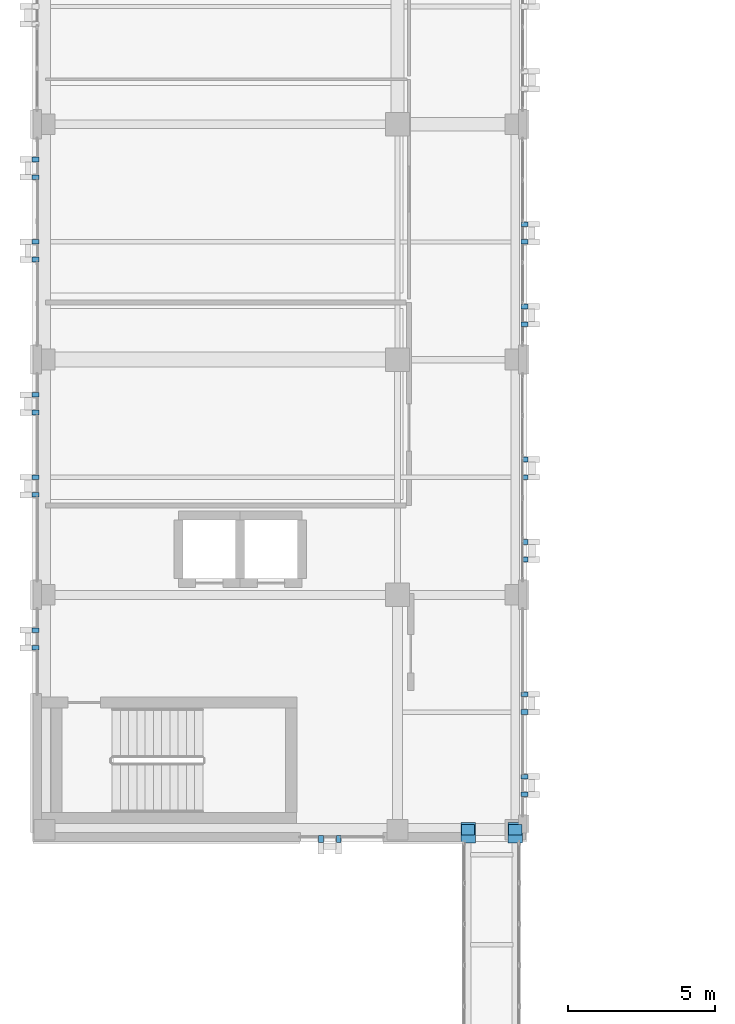
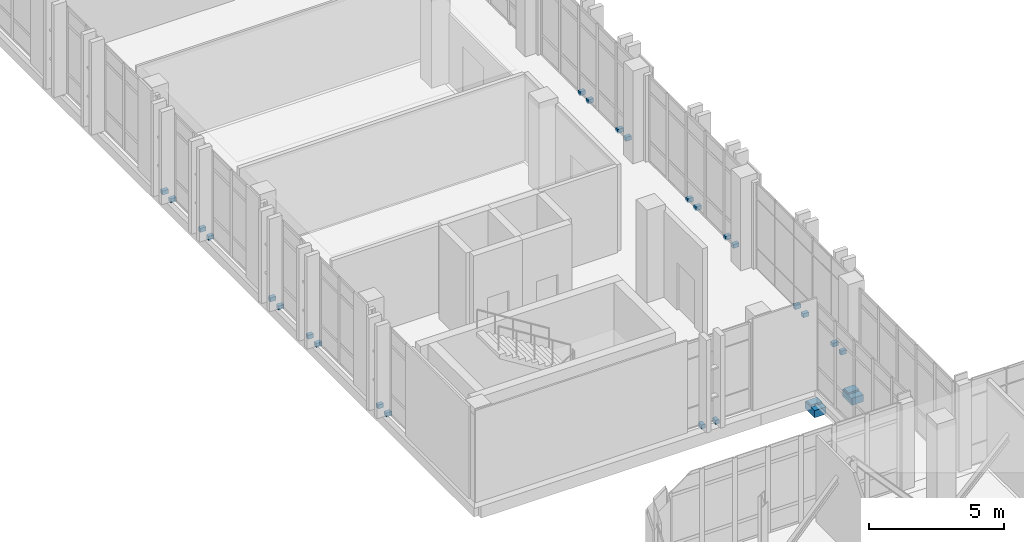
# One storey, part 142 of 165: 28 discrete accessories.
"""IFC4 building model written with IfcOpenShell, lengths in metres."""

from ifc_helpers import new_model, si_unit, direction, frame, origin, origin_2d, place, context, subcontext, project, spatial, rectangle, extrude, material, type_object, element, save


model = new_model("IFC4")

# Units and contexts
model_context = context("Model", 3, precision=1e-05, world=origin(), true_north=direction((0.0, 1.0)))
body_context = subcontext(model_context, "Body", "Model", "MODEL_VIEW")
ifc_project = project(units=[si_unit("LENGTHUNIT", "METRE"), si_unit("AREAUNIT", "SQUARE_METRE"), si_unit("VOLUMEUNIT", "CUBIC_METRE"), si_unit("PLANEANGLEUNIT", "RADIAN"), si_unit("MASSUNIT", "GRAM", prefix="KILO")], contexts=[model_context])

# Site, building, storey
site_placement = place(None, origin())
site = spatial("IfcSite", under=ifc_project, at=site_placement, CompositionType="ELEMENT")
building_placement = place(site_placement, origin())
building = spatial("IfcBuilding", under=site, at=building_placement, Name="Qalavern Law Courts", CompositionType="ELEMENT")
storey_placement = place(building_placement, frame((0.0, 0.0, 14.39990234375)))
storey = spatial("IfcBuildingStorey", under=building, at=storey_placement, Name="L03", CompositionType="ELEMENT", Elevation=14.39990234375)

# Discrete accessories
ifc_material_1 = material(Name="Steel S355", Category="steel")
discrete_accessory_type_1 = type_object("IfcDiscreteAccessoryType", Name="ENV-BRK-FIN", PredefinedType="BRACKET", material=ifc_material_1)
for number, where, z_axis, x_axis, name in (
    (1, (11.800048828125, 41.107421875, -0.06982421875), (0.0, 0.0, 1.0), (0.0, -1.0, 0.0), "Stone blade anchor bracket 0299"),
    (2, (12.39990234375, 41.107421875, -0.06982421875), (0.0, 0.0, 1.0), (0.0, -1.0, 0.0), "Stone blade anchor bracket 0300"),
    (3, (18.71240234375, 42.6201171875, -0.06982421875), (0.0, 0.0, 1.0), (1.0, 0.0, 0.0), "Stone blade anchor bracket 0301"),
    (4, (18.71240234375, 43.219970703125, -0.06982421875), (0.0, 0.0, 1.0), (1.0, 0.0, 0.0), "Stone blade anchor bracket 0302"),
    (5, (18.71240234375, 45.419921875, -0.06982421875), (0.0, 0.0, 1.0), (1.0, 0.0, 0.0), "Stone blade anchor bracket 0303"),
    (6, (18.71240234375, 46.02001953125, -0.06982421875), (0.0, 0.0, 1.0), (1.0, 0.0, 0.0), "Stone blade anchor bracket 0304"),
    (7, (18.71240234375, 50.60009765625, -0.06982421875), (0.0, 0.0, 1.0), (1.0, 0.0, 0.0), "Stone blade anchor bracket 0305"),
    (8, (18.71240234375, 51.199951171875, -0.06982421875), (0.0, 0.0, 1.0), (1.0, 0.0, 0.0), "Stone blade anchor bracket 0306"),
    (9, (18.71240234375, 53.39990234375, -0.06982421875), (0.0, 0.0, 1.0), (1.0, 0.0, 0.0), "Stone blade anchor bracket 0307"),
    (10, (18.71240234375, 54.0, -0.06982421875), (0.0, 0.0, 1.0), (1.0, 0.0, 0.0), "Stone blade anchor bracket 0308"),
    (11, (18.71240234375, 58.60009765625, -0.06982421875), (0.0, 0.0, 1.0), (1.0, 0.0, 0.0), "Stone blade anchor bracket 0309"),
    (12, (18.71240234375, 59.199951171875, -0.06982421875), (0.0, 0.0, 1.0), (1.0, 0.0, 0.0), "Stone blade anchor bracket 0310"),
    (13, (18.71240234375, 61.39990234375, -0.06982421875), (0.0, 0.0, 1.0), (1.0, 0.0, 0.0), "Stone blade anchor bracket 0311"),
    (14, (18.71240234375, 62.0, -0.06982421875), (0.0, 0.0, 1.0), (1.0, 0.0, 0.0), "Stone blade anchor bracket 0312"),
    (15, (2.08740234375, 64.199951171875, -0.06982421875), (0.0, 0.0, 1.0), (-1.0, 0.0, 0.0), "Stone blade anchor bracket 0341"),
    (16, (2.08740234375, 63.60009765625, -0.06982421875), (0.0, 0.0, 1.0), (-1.0, 0.0, 0.0), "Stone blade anchor bracket 0342"),
    (17, (2.08740234375, 61.39990234375, -0.06982421875), (0.0, 0.0, 1.0), (-1.0, 0.0, 0.0), "Stone blade anchor bracket 0343"),
    (18, (2.08740234375, 60.800048828125, -0.06982421875), (0.0, 0.0, 1.0), (-1.0, 0.0, 0.0), "Stone blade anchor bracket 0344"),
    (19, (2.08740234375, 56.199951171875, -0.06982421875), (0.0, 0.0, 1.0), (-1.0, 0.0, 0.0), "Stone blade anchor bracket 0345"),
    (20, (2.08740234375, 55.60009765625, -0.06982421875), (0.0, 0.0, 1.0), (-1.0, 0.0, 0.0), "Stone blade anchor bracket 0346"),
    (21, (2.08740234375, 53.39990234375, -0.06982421875), (0.0, 0.0, 1.0), (-1.0, 0.0, 0.0), "Stone blade anchor bracket 0347"),
    (22, (2.08740234375, 52.800048828125, -0.06982421875), (0.0, 0.0, 1.0), (-1.0, 0.0, 0.0), "Stone blade anchor bracket 0348"),
    (23, (2.08740234375, 48.199951171875, -0.06982421875), (0.0, 0.0, 1.0), (-1.0, 0.0, 0.0), "Stone blade anchor bracket 0349"),
    (24, (2.08740234375, 47.60009765625, -0.06982421875), (0.0, 0.0, 1.0), (-1.0, 0.0, 0.0), "Stone blade anchor bracket 0350"),
):
    element("IfcDiscreteAccessory", number, at=place(storey_placement, frame(where, z_axis=z_axis, x_axis=x_axis)), inside=storey, type_object=discrete_accessory_type_1, Name=name, PredefinedType="BRACKET", context=body_context, shape_type="SweptSolid", body=[
        extrude(rectangle(XDim=0.239990234375, YDim=0.159912109375, at=origin_2d()), origin(), (0.0, 0.0, 1.0), 0.179931640625),
    ])
ifc_material_2 = material(Name="Concrete C45/55", Category="concrete")
discrete_accessory_type_2 = type_object("IfcDiscreteAccessoryType", Name="STR-CORBEL-700", PredefinedType="BRACKET", material=ifc_material_2)
for number, where, z_axis, x_axis, name in (
    (25, (16.800048828125, 41.320068359375, -1.23486328125), (0.0, 0.0, 1.0), (1.0, 0.0, 0.0), "Bridge BR-V1-V3 700 mm corbel seat 1 L03"),
    (26, (18.39990234375, 41.320068359375, -1.23486328125), (0.0, 0.0, 1.0), (1.0, 0.0, 0.0), "Bridge BR-V1-V3 700 mm corbel seat 2 L03"),
):
    element("IfcDiscreteAccessory", number, at=place(storey_placement, frame(where, z_axis=z_axis, x_axis=x_axis)), inside=storey, type_object=discrete_accessory_type_2, Name=name, PredefinedType="BRACKET", context=body_context, shape_type="SweptSolid", body=[
        extrude(rectangle(XDim=0.5, YDim=0.699951171875, at=origin_2d()), origin(), (0.0, 0.0, 1.0), 0.320068359375),
    ])
discrete_accessory_type_3 = type_object("IfcDiscreteAccessoryType", Name="STR-SHOE-PTFE350", PredefinedType="SHOE", material=ifc_material_1)
for number, where, z_axis, x_axis, name in (
    (27, (16.800048828125, 41.419921875, -0.9150390625), (0.0, 0.0, 1.0), (1.0, 0.0, 0.0), "Seismic bridge PTFE sliding bearing 29"),
    (28, (18.39990234375, 41.419921875, -0.9150390625), (0.0, 0.0, 1.0), (1.0, 0.0, 0.0), "Seismic bridge PTFE sliding bearing 30"),
):
    element("IfcDiscreteAccessory", number, at=place(storey_placement, frame(where, z_axis=z_axis, x_axis=x_axis)), inside=storey, type_object=discrete_accessory_type_3, Name=name, PredefinedType="SHOE", context=body_context, shape_type="SweptSolid", body=[
        extrude(rectangle(XDim=0.449951171875, YDim=0.35009765625, at=origin_2d()), origin(), (0.0, 0.0, 1.0), 0.080078125),
    ])

save(model, "model.ifc")
